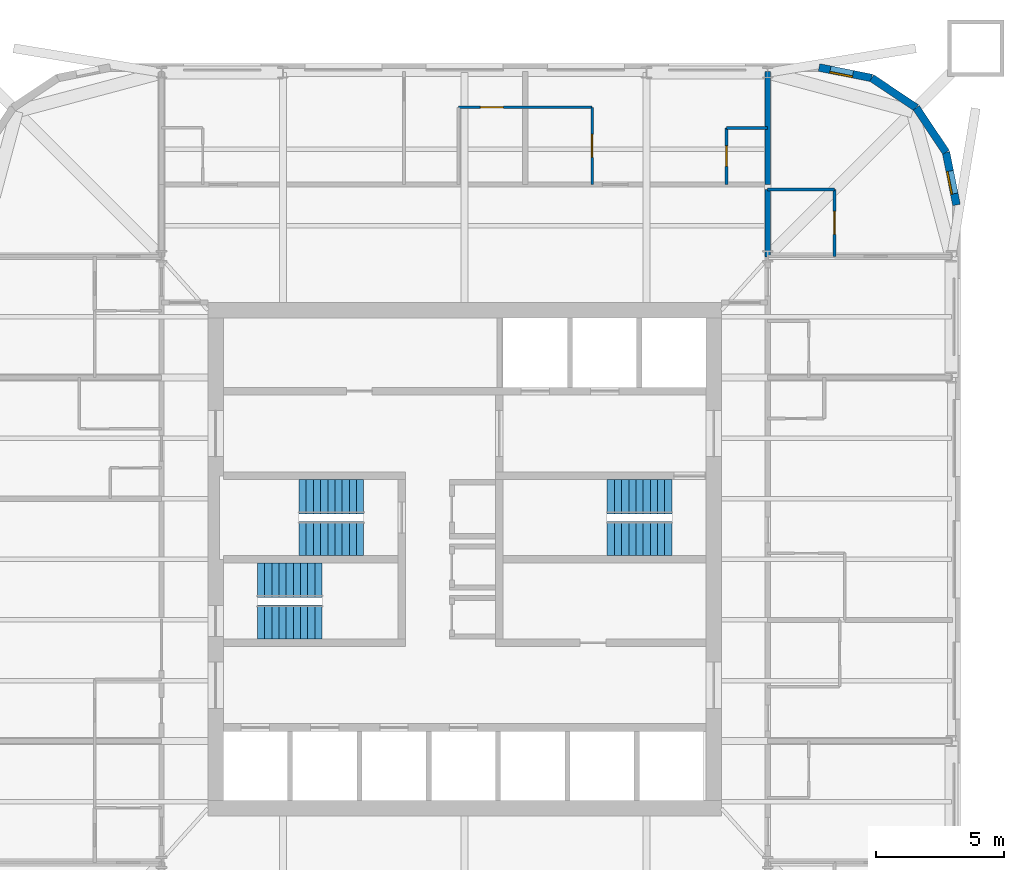
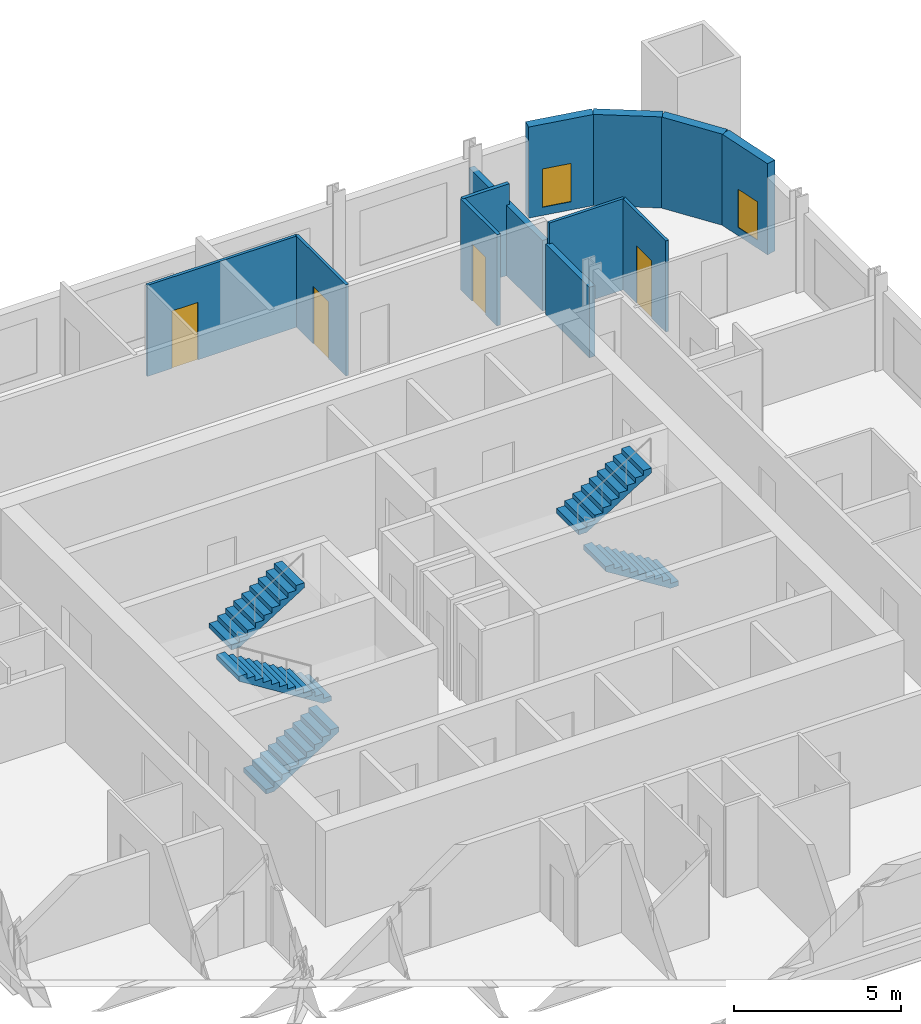
# One storey, part 7 of 8: 12 walls, 6 stair flights, 4 doors, 2 windows, 6 openings, 3 elements without a shape of their own.
"""IFC4 building model written with IfcOpenShell, lengths in metres."""

from ifc_helpers import new_model, si_unit, direction, frame, frame_2d, origin, place, context, subcontext, project, spatial, polyline, rectangle, outline, extrude, material, layer, layer_set, type_object, element, fill, aggregate, save


model = new_model("IFC4")

# Units and contexts
model_context = context("Model", 3, precision=1e-05, world=origin(), true_north=direction((0.0, 1.0)))
body_context = subcontext(model_context, "Body", "Model", "MODEL_VIEW")
ifc_project = project(units=[si_unit("LENGTHUNIT", "METRE"), si_unit("AREAUNIT", "SQUARE_METRE"), si_unit("VOLUMEUNIT", "CUBIC_METRE"), si_unit("PLANEANGLEUNIT", "RADIAN"), si_unit("MASSUNIT", "GRAM", prefix="KILO")], contexts=[model_context])

# Site, building, storey
site_placement = place(None, origin())
site = spatial("IfcSite", under=ifc_project, at=site_placement, CompositionType="ELEMENT")
building_placement = place(site_placement, origin())
building = spatial("IfcBuilding", under=site, at=building_placement, Name="Turquesa Mirador Hotel Tower", CompositionType="ELEMENT")
storey_placement = place(building_placement, frame((0.0, 0.0, 165.300048828125)))
storey = spatial("IfcBuildingStorey", under=building, at=storey_placement, Name="L44", CompositionType="ELEMENT", Elevation=165.300048828125)

# Wall
ifc_material_1 = material(Name="Gypsum board on steel studs", Category="steel")
ifc_layer_1 = layer(ifc_material_1, 0.10009765625)
ifc_layer_set_1 = layer_set([ifc_layer_1], Name="BATHROOM WALL 100")
wall_type_1 = type_object("IfcWallType", Name="BATHROOM WALL 100", PredefinedType="PARTITIONING", material=ifc_layer_set_1)
wall_1_placement = place(storey_placement, frame((66.800048828125, 59.39990234375, 0.0), z_axis=(0.0, 0.0, 1.0), x_axis=(1.0, 0.0, 0.0)))
element("IfcWall", 1, at=wall_1_placement, inside=storey, type_object=wall_type_1, Name="Partition L44 026", PredefinedType="PARTITIONING", context=body_context, shape_type="SweptSolid", body=[
    extrude(rectangle(XDim=2.599853515625, YDim=0.10009765625, at=frame_2d((1.2998046875, 0.0))), origin(), (0.0, 0.0, 1.0), 3.329833984375),
])

# Wall, opening, door
wall_2_placement = place(storey_placement, frame((54.760009765625, 62.60009765625, 0.0), z_axis=(0.0, 0.0, 1.0), x_axis=(1.0, 0.0, 0.0)))
wall_2 = element("IfcWall", 2, at=wall_2_placement, inside=storey, type_object=wall_type_1, Name="Partition L44 030", PredefinedType="PARTITIONING", context=body_context, shape_type="SweptSolid", body=[
    extrude(rectangle(XDim=5.199951171875, YDim=0.10009765625, at=frame_2d((2.60009765625, 0.0))), origin(), (0.0, 0.0, 1.0), 3.329833984375),
])
opening_1_placement = place(wall_2_placement, frame((0.85009765625, 0.0, 0.0)))
opening_1 = element("IfcOpeningElement", 3, at=opening_1_placement, cuts=wall_2, Name="Opening D02", PredefinedType="OPENING", context=body_context, shape_type="SweptSolid", body=[
    extrude(rectangle(XDim=0.89990234375, YDim=2.10009765625, at=frame_2d((0.449951171875, 1.050048828125))), frame((0.0, 0.06005859375, 0.0), z_axis=(0.0, -1.0, 0.0), x_axis=(1.0, 0.0, 0.0)), (0.0, 0.0, 1.0), 0.1201171875),
])
ifc_material_2 = material(Name="Timber veneered door", Category="wood")
door_type_1 = type_object("IfcDoorType", Name="DOOR 900X2100 EN-SUITE", OperationType="SINGLE_SWING_RIGHT", PredefinedType="DOOR", material=ifc_material_2)
door_1_placement = place(opening_1_placement, origin())
door_1 = element("IfcDoor", 4, at=door_1_placement, inside=storey, type_object=door_type_1, Name="Door 4401B", OperationType="SINGLE_SWING_RIGHT", OverallHeight=2.10009765625, OverallWidth=0.89990234375, PredefinedType="DOOR", context=body_context, shape_type="SweptSolid", body=[
    extrude(rectangle(XDim=0.89990234375, YDim=2.10009765625, at=frame_2d((0.449951171875, 1.050048828125))), frame((0.0, 0.02490234375, 0.0), z_axis=(0.0, -1.0, 0.0), x_axis=(1.0, 0.0, 0.0)), (0.0, 0.0, 1.0), 0.050048828125),
])
fill(opening_1, door_1)

wall_3_placement = place(storey_placement, frame((69.39990234375, 56.800048828125, 0.0), z_axis=(0.0, 0.0, 1.0), x_axis=(0.0, 1.0, 0.0)))
wall_3 = element("IfcWall", 5, at=wall_3_placement, inside=storey, type_object=wall_type_1, Name="Partition L44 066", PredefinedType="PARTITIONING", context=body_context, shape_type="SweptSolid", body=[
    extrude(rectangle(XDim=2.599853515625, YDim=0.10009765625, at=frame_2d((1.2998046875, 0.0))), origin(), (0.0, 0.0, 1.0), 3.329833984375),
])
opening_2_placement = place(wall_3_placement, frame((0.85009765625, 0.0, 0.0)))
opening_2 = element("IfcOpeningElement", 6, at=opening_2_placement, cuts=wall_3, Name="Opening D02", PredefinedType="OPENING", context=body_context, shape_type="SweptSolid", body=[
    extrude(rectangle(XDim=0.89990234375, YDim=2.10009765625, at=frame_2d((0.449951171875, 1.050048828125))), frame((0.0, 0.06005859375, 0.0), z_axis=(0.0, -1.0, 0.0), x_axis=(1.0, 0.0, 0.0)), (0.0, 0.0, 1.0), 0.1201171875),
])
door_2_placement = place(opening_2_placement, origin())
door_2 = element("IfcDoor", 7, at=door_2_placement, inside=storey, type_object=door_type_1, Name="Door 4409B", OperationType="SINGLE_SWING_RIGHT", OverallHeight=2.10009765625, OverallWidth=0.89990234375, PredefinedType="DOOR", context=body_context, shape_type="SweptSolid", body=[
    extrude(rectangle(XDim=0.89990234375, YDim=2.10009765625, at=frame_2d((0.449951171875, 1.050048828125))), frame((0.0, 0.02490234375, 0.0), z_axis=(0.0, -1.0, 0.0), x_axis=(1.0, 0.0, 0.0)), (0.0, 0.0, 1.0), 0.050048828125),
])
fill(opening_2, door_2)

wall_4_placement = place(storey_placement, frame((59.9599609375, 59.60009765625, 0.0), z_axis=(0.0, 0.0, 1.0), x_axis=(0.0, 1.0, 0.0)))
wall_4 = element("IfcWall", 8, at=wall_4_placement, inside=storey, type_object=wall_type_1, Name="Partition L44 072", PredefinedType="PARTITIONING", context=body_context, shape_type="SweptSolid", body=[
    extrude(rectangle(XDim=3.0, YDim=0.10009765625, at=frame_2d((1.5, 0.0))), origin(), (0.0, 0.0, 1.0), 3.329833984375),
])
opening_3_placement = place(wall_4_placement, frame((1.050048828125, 0.0, 0.0)))
opening_3 = element("IfcOpeningElement", 9, at=opening_3_placement, cuts=wall_4, Name="Opening D02", PredefinedType="OPENING", context=body_context, shape_type="SweptSolid", body=[
    extrude(rectangle(XDim=0.89990234375, YDim=2.10009765625, at=frame_2d((0.449951171875, 1.050048828125))), frame((0.0, 0.06005859375, 0.0), z_axis=(0.0, -1.0, 0.0), x_axis=(1.0, 0.0, 0.0)), (0.0, 0.0, 1.0), 0.1201171875),
])
door_3_placement = place(opening_3_placement, origin())
door_3 = element("IfcDoor", 10, at=door_3_placement, inside=storey, type_object=door_type_1, Name="Door 4402B", OperationType="SINGLE_SWING_RIGHT", OverallHeight=2.10009765625, OverallWidth=0.89990234375, PredefinedType="DOOR", context=body_context, shape_type="SweptSolid", body=[
    extrude(rectangle(XDim=0.89990234375, YDim=2.10009765625, at=frame_2d((0.449951171875, 1.050048828125))), frame((0.0, 0.02490234375, 0.0), z_axis=(0.0, -1.0, 0.0), x_axis=(1.0, 0.0, 0.0)), (0.0, 0.0, 1.0), 0.050048828125),
])
fill(opening_3, door_3)

# Wall
ifc_material_3 = material(Name="Fire-rated gypsum board on steel studs", Category="steel")
ifc_layer_2 = layer(ifc_material_3, 0.199951171875)
ifc_layer_set_2 = layer_set([ifc_layer_2], Name="CORRIDOR WALL 200")
wall_type_2 = type_object("IfcWallType", Name="CORRIDOR WALL 200", PredefinedType="PARTITIONING", material=ifc_layer_set_2)
wall_5_placement = place(storey_placement, frame((66.800048828125, 56.780029296875, 0.0), z_axis=(0.0, 0.0, 1.0), x_axis=(0.0, 1.0, 0.0)))
element("IfcWall", 11, at=wall_5_placement, inside=storey, type_object=wall_type_2, Name="Partition L44 076", PredefinedType="PARTITIONING", context=body_context, shape_type="SweptSolid", body=[
    extrude(rectangle(XDim=2.619873046875, YDim=0.199951171875, at=frame_2d((1.31005859375, 0.0))), origin(), (0.0, 0.0, 1.0), 2.572998046875),
])

# Wall, opening, window
ifc_material_4 = material(Name="Limestone cladding on concrete block", Category="masonry")
ifc_layer_3 = layer(ifc_material_4, 0.300048828125)
ifc_layer_set_3 = layer_set([ifc_layer_3], Name="FACADE WALL 300 STONE SCREEN")
wall_type_3 = type_object("IfcWallType", Name="FACADE WALL 300 STONE SCREEN", PredefinedType="SOLIDWALL", material=ifc_layer_set_3)
wall_6_placement = place(storey_placement, frame((74.14990234375, 58.800048828125, 0.0), z_axis=(0.0, 0.0, 1.0), x_axis=(-0.195081421501, 0.980787050784, 0.0)))
wall_6 = element("IfcWall", 12, at=wall_6_placement, inside=storey, type_object=wall_type_3, Name="Facade wall L44 05", PredefinedType="SOLIDWALL", context=body_context, shape_type="SweptSolid", body=[
    extrude(rectangle(XDim=2.08740234375, YDim=0.300048828125, at=frame_2d((1.043701171875, 0.0))), origin(), (0.0, 0.0, 1.0), 3.329833984375),
])
opening_4_placement = place(wall_6_placement, frame((0.443603515625, 0.0, 0.300048828125)))
opening_4 = element("IfcOpeningElement", 13, at=opening_4_placement, cuts=wall_6, Name="Opening WN22", PredefinedType="OPENING", context=body_context, shape_type="SweptSolid", body=[
    extrude(rectangle(XDim=0.89990234375, YDim=1.39990234375, at=frame_2d((0.449951171875, 0.699951171875))), frame((0.0, 0.159912109375, 0.0), z_axis=(0.0, -1.0, 0.0), x_axis=(1.0, 0.0, 0.0)), (0.0, 0.0, 1.0), 0.320068359375),
])
ifc_material_5 = material(Name="Ceramic-fritted laminated glass", Category="glass")
window_type = type_object("IfcWindowType", Name="FRITTED CORNER WINDOW 900X1400", PartitioningType="DOUBLE_PANEL_HORIZONTAL", PredefinedType="WINDOW", material=ifc_material_5)
window_1_placement = place(opening_4_placement, origin())
window_1 = element("IfcWindow", 14, at=window_1_placement, inside=storey, type_object=window_type, Name="Window L44", OverallHeight=1.39990234375, OverallWidth=0.89990234375, PartitioningType="SINGLE_PANEL", PredefinedType="WINDOW", context=body_context, shape_type="SweptSolid", body=[
    extrude(rectangle(XDim=0.89990234375, YDim=1.39990234375, at=frame_2d((0.449951171875, 0.699951171875))), frame((0.0, 0.130126953125, 0.0), z_axis=(0.0, -1.0, 0.0), x_axis=(1.0, 0.0, 0.0)), (0.0, 0.0, 1.0), 0.06005859375),
])
fill(opening_4, window_1)

# Walls
for number, where, z_axis, x_axis, name in (
    (15, (73.74267578125, 60.847412109375, 0.0), (0.0, 0.0, 1.0), (-0.555563607591, 0.831474039234, 0.0), "Facade wall L44 06"),
    (16, (72.5830078125, 62.5830078125, 0.0), (0.0, 0.0, 1.0), (-0.831474039234, 0.555563607591, 0.0), "Facade wall L44 07"),
):
    element("IfcWall", number, at=place(storey_placement, frame(where, z_axis=z_axis, x_axis=x_axis)), inside=storey, type_object=wall_type_3, Name=name, PredefinedType="SOLIDWALL", context=body_context, shape_type="SweptSolid", body=[
        extrude(rectangle(XDim=2.08740234375, YDim=0.300048828125, at=frame_2d((1.043701171875, 0.0))), origin(), (0.0, 0.0, 1.0), 3.329833984375),
    ])

# Wall, opening, window
wall_7_placement = place(storey_placement, frame((70.847412109375, 63.74267578125, 0.0), z_axis=(0.0, 0.0, 1.0), x_axis=(-0.980787050784, 0.195081421501, 0.0)))
wall_7 = element("IfcWall", 17, at=wall_7_placement, inside=storey, type_object=wall_type_3, Name="Facade wall L44 08", PredefinedType="SOLIDWALL", context=body_context, shape_type="SweptSolid", body=[
    extrude(rectangle(XDim=2.08740234375, YDim=0.300048828125, at=frame_2d((1.043701171875, 0.0))), origin(), (0.0, 0.0, 1.0), 3.329833984375),
])
opening_5_placement = place(wall_7_placement, frame((0.74365234375, 0.0, 0.300048828125)))
opening_5 = element("IfcOpeningElement", 18, at=opening_5_placement, cuts=wall_7, Name="Opening WN22", PredefinedType="OPENING", context=body_context, shape_type="SweptSolid", body=[
    extrude(rectangle(XDim=0.89990234375, YDim=1.39990234375, at=frame_2d((0.449951171875, 0.699951171875))), frame((0.0, 0.159912109375, 0.0), z_axis=(0.0, -1.0, 0.0), x_axis=(1.0, 0.0, 0.0)), (0.0, 0.0, 1.0), 0.320068359375),
])
window_2_placement = place(opening_5_placement, origin())
window_2 = element("IfcWindow", 19, at=window_2_placement, inside=storey, type_object=window_type, Name="Window L44", OverallHeight=1.39990234375, OverallWidth=0.89990234375, PartitioningType="SINGLE_PANEL", PredefinedType="WINDOW", context=body_context, shape_type="SweptSolid", body=[
    extrude(rectangle(XDim=0.89990234375, YDim=1.39990234375, at=frame_2d((0.449951171875, 0.699951171875))), frame((0.0, 0.130126953125, 0.0), z_axis=(0.0, -1.0, 0.0), x_axis=(1.0, 0.0, 0.0)), (0.0, 0.0, 1.0), 0.06005859375),
])
fill(opening_5, window_2)

# Walls
ifc_material_6 = material(Name="Fire-rated gypsum board on steel studs", Category="steel")
ifc_layer_4 = layer(ifc_material_6, 0.199951171875)
ifc_layer_set_4 = layer_set([ifc_layer_4], Name="PARTY WALL 200")
wall_type_4 = type_object("IfcWallType", Name="PARTY WALL 200", PredefinedType="PARTITIONING", material=ifc_layer_set_4)
wall_8_placement = place(storey_placement, frame((66.800048828125, 59.60009765625, 0.0), z_axis=(0.0, 0.0, 1.0), x_axis=(0.0, 1.0, 0.0)))
element("IfcWall", 20, at=wall_8_placement, inside=storey, type_object=wall_type_4, Name="Partition L44 061", PredefinedType="PARTITIONING", context=body_context, shape_type="SweptSolid", body=[
    extrude(rectangle(XDim=4.39990234375, YDim=0.199951171875, at=frame_2d((2.199951171875, 0.0))), origin(), (0.0, 0.0, 1.0), 2.572998046875),
])
ifc_material_7 = material(Name="Acoustic gypsum board on steel studs", Category="steel")
ifc_layer_5 = layer(ifc_material_7, 0.125)
ifc_layer_set_5 = layer_set([ifc_layer_5], Name="SUITE PARTITION 125")
wall_type_5 = type_object("IfcWallType", Name="SUITE PARTITION 125", PredefinedType="PARTITIONING", material=ifc_layer_set_5)
wall_9_placement = place(storey_placement, frame((65.199951171875, 61.800048828125, 0.0), z_axis=(0.0, 0.0, 1.0), x_axis=(1.0, 0.0, 0.0)))
element("IfcWall", 21, at=wall_9_placement, inside=storey, type_object=wall_type_5, Name="Partition L44 029", PredefinedType="PARTITIONING", context=body_context, shape_type="SweptSolid", body=[
    extrude(rectangle(XDim=1.60009765625, YDim=0.125, at=frame_2d((0.800048828125, 0.0))), origin(), (0.0, 0.0, 1.0), 3.329833984375),
])

# Wall, opening, door
wall_10_placement = place(storey_placement, frame((65.199951171875, 59.60009765625, 0.0), z_axis=(0.0, 0.0, 1.0), x_axis=(0.0, 1.0, 0.0)))
wall_10 = element("IfcWall", 22, at=wall_10_placement, inside=storey, type_object=wall_type_5, Name="Partition L44 057", PredefinedType="PARTITIONING", context=body_context, shape_type="SweptSolid", body=[
    extrude(rectangle(XDim=2.199951171875, YDim=0.125, at=frame_2d((1.10009765625, 0.0))), origin(), (0.0, 0.0, 1.0), 3.329833984375),
])
opening_6_placement = place(wall_10_placement, frame((0.699951171875, 0.0, 0.0)))
opening_6 = element("IfcOpeningElement", 23, at=opening_6_placement, cuts=wall_10, Name="Opening D20", PredefinedType="OPENING", context=body_context, shape_type="SweptSolid", body=[
    extrude(rectangle(XDim=0.800048828125, YDim=2.10009765625, at=frame_2d((0.39990234375, 1.050048828125))), frame((0.0, 0.072509765625, 0.0), z_axis=(0.0, -1.0, 0.0), x_axis=(1.0, 0.0, 0.0)), (0.0, 0.0, 1.0), 0.14501953125),
])
ifc_material_8 = material(Name="Timber veneered sliding door", Category="wood")
door_type_2 = type_object("IfcDoorType", Name="DOOR 800X2100 WARDROBE", OperationType="SLIDING_TO_LEFT", PredefinedType="DOOR", material=ifc_material_8)
door_4_placement = place(opening_6_placement, origin())
door_4 = element("IfcDoor", 24, at=door_4_placement, inside=storey, type_object=door_type_2, Name="Door 4402W", OperationType="SLIDING_TO_LEFT", OverallHeight=2.10009765625, OverallWidth=0.800048828125, PredefinedType="DOOR", context=body_context, shape_type="SweptSolid", body=[
    extrude(rectangle(XDim=0.800048828125, YDim=2.10009765625, at=frame_2d((0.39990234375, 1.050048828125))), frame((0.0, 0.02490234375, 0.0), z_axis=(0.0, -1.0, 0.0), x_axis=(1.0, 0.0, 0.0)), (0.0, 0.0, 1.0), 0.050048828125),
])
fill(opening_6, door_4)

# Stair, stair flights
ifc_material_9 = material(Name="Concrete C35/45", Category="concrete")
stair_type = type_object("IfcStairType", Name="ESCAPE STAIR CORE", PredefinedType="HALF_TURN_STAIR", material=ifc_material_9)
stair_1_placement = place(storey_placement, origin())
stair_1 = element("IfcStair", 25, at=stair_1_placement, inside=storey, type_object=stair_type, Name="Stair ST1 L44 to L45", PredefinedType="HALF_TURN_STAIR")
ifc_material_10 = material(Name="Concrete C35/45 precast flight", Category="concrete")
stair_flight_type = type_object("IfcStairFlightType", Name="STAIR FLIGHT 1330", PredefinedType="STRAIGHT", material=ifc_material_10)
stair_flight_1_placement = place(storey_placement, frame((51.070068359375, 45.81494140625, 0.0), z_axis=(0.0, 0.0, 1.0), x_axis=(-1.0, 0.0, 0.0)))
stair_flight_1 = element("IfcStairFlight", 26, at=stair_flight_1_placement, type_object=stair_flight_type, Name="ST1 flight 1", NumberOfRisers=10, NumberOfTreads=9, PredefinedType="STRAIGHT", RiserHeight=0.175, TreadLength=0.28, context=body_context, shape_type="SweptSolid", body=[
    extrude(outline(polyline([(0.0, 0.0), (0.0, 0.175048828125), (0.280029296875, 0.175048828125), (0.280029296875, 0.35009765625), (0.56005859375, 0.35009765625), (0.56005859375, 0.52490234375), (0.840087890625, 0.52490234375), (0.840087890625, 0.699951171875), (1.1201171875, 0.699951171875), (1.1201171875, 0.875), (1.39990234375, 0.875), (1.39990234375, 1.050048828125), (1.679931640625, 1.050048828125), (1.679931640625, 1.22509765625), (1.9599609375, 1.22509765625), (1.9599609375, 1.39990234375), (2.239990234375, 1.39990234375), (2.239990234375, 1.574951171875), (2.52001953125, 1.574951171875), (2.52001953125, 1.75), (2.52001953125, 1.398193359375), (0.28271484375, 0.0), (0.0, 0.0)])), frame((0.0, 0.6650390625, 0.0), z_axis=(0.0, -1.0, 0.0), x_axis=(1.0, 0.0, 0.0)), (0.0, 0.0, 1.0), 1.330078125),
])
stair_flight_2_placement = place(storey_placement, frame((48.550048828125, 47.43505859375, 1.75), z_axis=(0.0, 0.0, 1.0), x_axis=(1.0, 0.0, 0.0)))
stair_flight_2 = element("IfcStairFlight", 27, at=stair_flight_2_placement, type_object=stair_flight_type, Name="ST1 flight 2", NumberOfRisers=10, NumberOfTreads=9, PredefinedType="STRAIGHT", RiserHeight=0.175, TreadLength=0.28, context=body_context, shape_type="SweptSolid", body=[
    extrude(outline(polyline([(0.0, 0.0), (0.0, 0.175048828125), (0.280029296875, 0.175048828125), (0.280029296875, 0.35009765625), (0.56005859375, 0.35009765625), (0.56005859375, 0.52490234375), (0.840087890625, 0.52490234375), (0.840087890625, 0.699951171875), (1.1201171875, 0.699951171875), (1.1201171875, 0.875), (1.39990234375, 0.875), (1.39990234375, 1.050048828125), (1.679931640625, 1.050048828125), (1.679931640625, 1.22509765625), (1.9599609375, 1.22509765625), (1.9599609375, 1.39990234375), (2.239990234375, 1.39990234375), (2.239990234375, 1.574951171875), (2.52001953125, 1.574951171875), (2.52001953125, 1.75), (2.52001953125, 1.398193359375), (0.28271484375, 0.0), (0.0, 0.0)])), frame((0.0, 0.6650390625, 0.0), z_axis=(0.0, -1.0, 0.0), x_axis=(1.0, 0.0, 0.0)), (0.0, 0.0, 1.0), 1.330078125),
])
aggregate(stair_1, [stair_flight_1, stair_flight_2])

stair_2_placement = place(storey_placement, origin())
stair_2 = element("IfcStair", 28, at=stair_2_placement, inside=storey, type_object=stair_type, Name="Stair ST2 L44 to L45", PredefinedType="HALF_TURN_STAIR")
stair_flight_3_placement = place(storey_placement, frame((46.929931640625, 42.56494140625, 0.0), z_axis=(0.0, 0.0, 1.0), x_axis=(1.0, 0.0, 0.0)))
stair_flight_3 = element("IfcStairFlight", 29, at=stair_flight_3_placement, type_object=stair_flight_type, Name="ST2 flight 1", NumberOfRisers=10, NumberOfTreads=9, PredefinedType="STRAIGHT", RiserHeight=0.175, TreadLength=0.28, context=body_context, shape_type="SweptSolid", body=[
    extrude(outline(polyline([(0.0, 0.0), (0.0, 0.175048828125), (0.280029296875, 0.175048828125), (0.280029296875, 0.35009765625), (0.56005859375, 0.35009765625), (0.56005859375, 0.52490234375), (0.840087890625, 0.52490234375), (0.840087890625, 0.699951171875), (1.1201171875, 0.699951171875), (1.1201171875, 0.875), (1.39990234375, 0.875), (1.39990234375, 1.050048828125), (1.679931640625, 1.050048828125), (1.679931640625, 1.22509765625), (1.9599609375, 1.22509765625), (1.9599609375, 1.39990234375), (2.239990234375, 1.39990234375), (2.239990234375, 1.574951171875), (2.52001953125, 1.574951171875), (2.52001953125, 1.75), (2.52001953125, 1.398193359375), (0.28271484375, 0.0), (0.0, 0.0)])), frame((0.0, 0.6650390625, 0.0), z_axis=(0.0, -1.0, 0.0), x_axis=(1.0, 0.0, 0.0)), (0.0, 0.0, 1.0), 1.330078125),
])
stair_flight_4_placement = place(storey_placement, frame((49.449951171875, 44.18505859375, 1.75), z_axis=(0.0, 0.0, 1.0), x_axis=(-1.0, 0.0, 0.0)))
stair_flight_4 = element("IfcStairFlight", 30, at=stair_flight_4_placement, type_object=stair_flight_type, Name="ST2 flight 2", NumberOfRisers=10, NumberOfTreads=9, PredefinedType="STRAIGHT", RiserHeight=0.175, TreadLength=0.28, context=body_context, shape_type="SweptSolid", body=[
    extrude(outline(polyline([(0.0, 0.0), (0.0, 0.175048828125), (0.280029296875, 0.175048828125), (0.280029296875, 0.35009765625), (0.56005859375, 0.35009765625), (0.56005859375, 0.52490234375), (0.840087890625, 0.52490234375), (0.840087890625, 0.699951171875), (1.1201171875, 0.699951171875), (1.1201171875, 0.875), (1.39990234375, 0.875), (1.39990234375, 1.050048828125), (1.679931640625, 1.050048828125), (1.679931640625, 1.22509765625), (1.9599609375, 1.22509765625), (1.9599609375, 1.39990234375), (2.239990234375, 1.39990234375), (2.239990234375, 1.574951171875), (2.52001953125, 1.574951171875), (2.52001953125, 1.75), (2.52001953125, 1.398193359375), (0.28271484375, 0.0), (0.0, 0.0)])), frame((0.0, 0.6650390625, 0.0), z_axis=(0.0, -1.0, 0.0), x_axis=(1.0, 0.0, 0.0)), (0.0, 0.0, 1.0), 1.330078125),
])
aggregate(stair_2, [stair_flight_3, stair_flight_4])

stair_3_placement = place(storey_placement, origin())
stair_3 = element("IfcStair", 31, at=stair_3_placement, inside=storey, type_object=stair_type, Name="Stair ST3 L44 to L45", PredefinedType="HALF_TURN_STAIR")
stair_flight_5_placement = place(storey_placement, frame((63.070068359375, 45.81494140625, 0.0), z_axis=(0.0, 0.0, 1.0), x_axis=(-1.0, 0.0, 0.0)))
stair_flight_5 = element("IfcStairFlight", 32, at=stair_flight_5_placement, type_object=stair_flight_type, Name="ST3 flight 1", NumberOfRisers=10, NumberOfTreads=9, PredefinedType="STRAIGHT", RiserHeight=0.175, TreadLength=0.28, context=body_context, shape_type="SweptSolid", body=[
    extrude(outline(polyline([(0.0, 0.0), (0.0, 0.175048828125), (0.280029296875, 0.175048828125), (0.280029296875, 0.35009765625), (0.56005859375, 0.35009765625), (0.56005859375, 0.52490234375), (0.840087890625, 0.52490234375), (0.840087890625, 0.699951171875), (1.1201171875, 0.699951171875), (1.1201171875, 0.875), (1.39990234375, 0.875), (1.39990234375, 1.050048828125), (1.679931640625, 1.050048828125), (1.679931640625, 1.22509765625), (1.9599609375, 1.22509765625), (1.9599609375, 1.39990234375), (2.239990234375, 1.39990234375), (2.239990234375, 1.574951171875), (2.52001953125, 1.574951171875), (2.52001953125, 1.75), (2.52001953125, 1.398193359375), (0.28271484375, 0.0), (0.0, 0.0)])), frame((0.0, 0.6650390625, 0.0), z_axis=(0.0, -1.0, 0.0), x_axis=(1.0, 0.0, 0.0)), (0.0, 0.0, 1.0), 1.330078125),
])
stair_flight_6_placement = place(storey_placement, frame((60.550048828125, 47.43505859375, 1.75), z_axis=(0.0, 0.0, 1.0), x_axis=(1.0, 0.0, 0.0)))
stair_flight_6 = element("IfcStairFlight", 33, at=stair_flight_6_placement, type_object=stair_flight_type, Name="ST3 flight 2", NumberOfRisers=10, NumberOfTreads=9, PredefinedType="STRAIGHT", RiserHeight=0.175, TreadLength=0.28, context=body_context, shape_type="SweptSolid", body=[
    extrude(outline(polyline([(0.0, 0.0), (0.0, 0.175048828125), (0.280029296875, 0.175048828125), (0.280029296875, 0.35009765625), (0.56005859375, 0.35009765625), (0.56005859375, 0.52490234375), (0.840087890625, 0.52490234375), (0.840087890625, 0.699951171875), (1.1201171875, 0.699951171875), (1.1201171875, 0.875), (1.39990234375, 0.875), (1.39990234375, 1.050048828125), (1.679931640625, 1.050048828125), (1.679931640625, 1.22509765625), (1.9599609375, 1.22509765625), (1.9599609375, 1.39990234375), (2.239990234375, 1.39990234375), (2.239990234375, 1.574951171875), (2.52001953125, 1.574951171875), (2.52001953125, 1.75), (2.52001953125, 1.398193359375), (0.28271484375, 0.0), (0.0, 0.0)])), frame((0.0, 0.6650390625, 0.0), z_axis=(0.0, -1.0, 0.0), x_axis=(1.0, 0.0, 0.0)), (0.0, 0.0, 1.0), 1.330078125),
])
aggregate(stair_3, [stair_flight_5, stair_flight_6])

save(model, "model.ifc")
